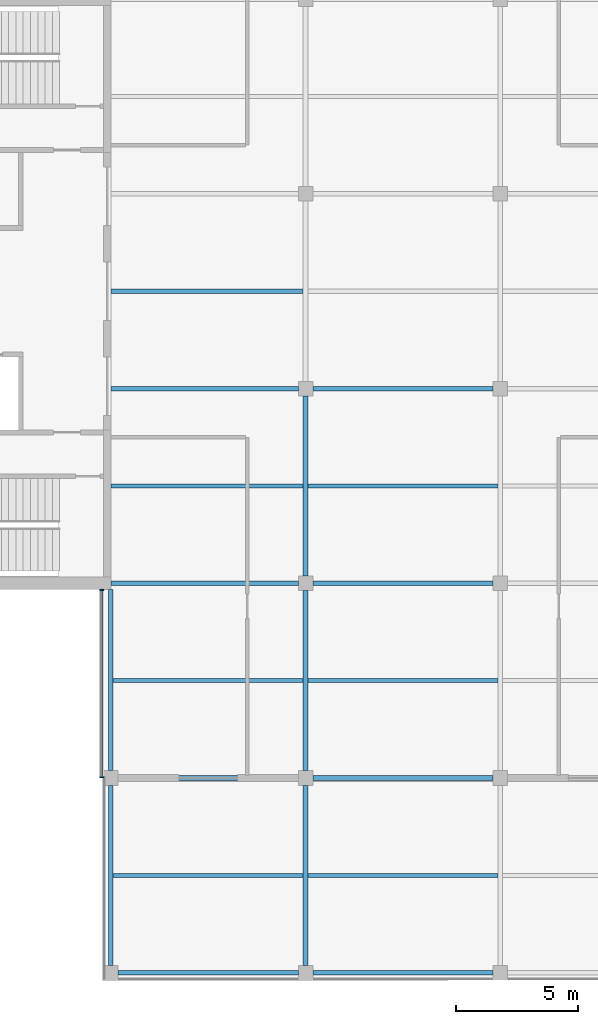
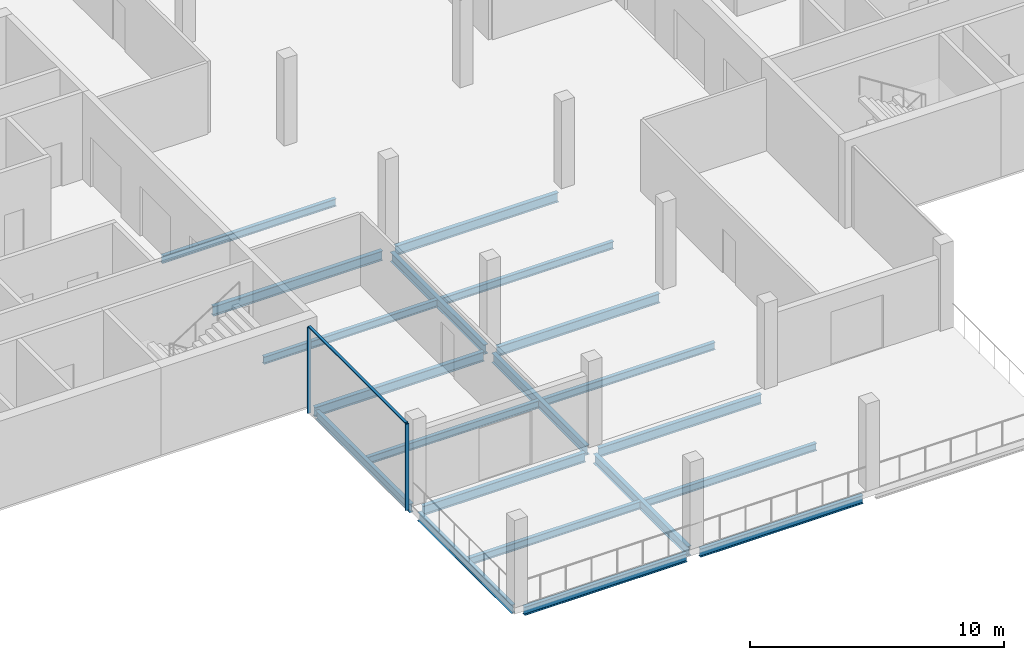
# One storey, part 2 of 12: 20 beams, 3 members, 1 element without a shape of its own.
"""IFC4 building model written with IfcOpenShell, lengths in metres."""

from ifc_helpers import new_model, si_unit, direction, frame, origin, origin_2d, place, context, subcontext, project, spatial, rectangle, i_section, extrude, material, material_profile, profile_set, type_object, element, aggregate, save


model = new_model("IFC4")

# Units and contexts
model_context = context("Model", 3, precision=1e-05, world=origin(), true_north=direction((0.0, 1.0)))
body_context = subcontext(model_context, "Body", "Model", "MODEL_VIEW")
ifc_project = project(units=[si_unit("LENGTHUNIT", "METRE"), si_unit("AREAUNIT", "SQUARE_METRE"), si_unit("VOLUMEUNIT", "CUBIC_METRE"), si_unit("PLANEANGLEUNIT", "RADIAN"), si_unit("MASSUNIT", "GRAM", prefix="KILO")], contexts=[model_context])

# Site, building, storey
site_placement = place(None, origin())
site = spatial("IfcSite", under=ifc_project, at=site_placement, CompositionType="ELEMENT")
building_placement = place(site_placement, origin())
building = spatial("IfcBuilding", under=site, at=building_placement, Name="Crosswind Convention Tower", CompositionType="ELEMENT")
storey_placement = place(building_placement, frame((0.0, 0.0, 328.10009765625)))
storey = spatial("IfcBuildingStorey", under=building, at=storey_placement, Name="L71", CompositionType="ELEMENT", Elevation=328.10009765625)

# Beams
ifc_material_1 = material(Name="Steel S355", Category="steel")
ifc_material_profile_1 = material_profile(ifc_material_1, i_section(OverallWidth=0.177734375, OverallDepth=0.406494140625, WebThickness=0.0078125, FlangeThickness=0.0126953125, FilletRadius=0.01025390625, at=origin_2d()), Name="UB 406x178x60")
ifc_profile_set_1 = profile_set([ifc_material_profile_1], Name="Steel S355")
beam_type_1 = type_object("IfcBeamType", Name="Edge beam UB 406x178x60", PredefinedType="SPANDREL", material=ifc_profile_set_1)
beam_1_placement = place(storey_placement, frame((113.0, 72.300048828125, -0.50341796875), z_axis=(0.0, 1.0, 0.0), x_axis=(-1.0, 0.0, 0.0)))
element("IfcBeam", 1, at=beam_1_placement, inside=storey, type_object=beam_type_1, Name="B15 L71 edge beam 1", PredefinedType="SPANDREL", context=body_context, shape_type="SweptSolid", body=[
    extrude(i_section(OverallWidth=0.177734375, OverallDepth=0.406494140625, WebThickness=0.0078125, FlangeThickness=0.0126953125, FilletRadius=0.01025390625, at=origin_2d()), origin(), (0.0, 0.0, 1.0), 7.39990234375),
])
beam_2_placement = place(storey_placement, frame((113.0, 80.300048828125, -0.50341796875), z_axis=(0.0, 1.0, 0.0), x_axis=(-1.0, 0.0, 0.0)))
element("IfcBeam", 2, at=beam_2_placement, inside=storey, type_object=beam_type_1, Name="B15 L71 edge beam 2", PredefinedType="SPANDREL", context=body_context, shape_type="SweptSolid", body=[
    extrude(i_section(OverallWidth=0.177734375, OverallDepth=0.406494140625, WebThickness=0.0078125, FlangeThickness=0.0126953125, FilletRadius=0.01025390625, at=origin_2d()), origin(), (0.0, 0.0, 1.0), 7.449951171875),
])
for number, where, z_axis, x_axis, name in (
    (3, (113.300048828125, 72.0, -0.50341796875), (1.0, 0.0, 0.0), (0.0, 1.0, 0.0), "B15 L71 edge beam 5"),
    (4, (121.300048828125, 72.0, -0.50341796875), (1.0, 0.0, 0.0), (0.0, 1.0, 0.0), "B15 L71 edge beam 7"),
):
    element("IfcBeam", number, at=place(storey_placement, frame(where, z_axis=z_axis, x_axis=x_axis)), inside=storey, type_object=beam_type_1, Name=name, PredefinedType="SPANDREL", context=body_context, shape_type="SweptSolid", body=[
        extrude(i_section(OverallWidth=0.177734375, OverallDepth=0.406494140625, WebThickness=0.0078125, FlangeThickness=0.0126953125, FilletRadius=0.01025390625, at=origin_2d()), origin(), (0.0, 0.0, 1.0), 7.39990234375),
    ])
ifc_material_profile_2 = material_profile(ifc_material_1, i_section(OverallWidth=0.18994140625, OverallDepth=0.45361328125, WebThickness=0.008544921875, FlangeThickness=0.0126953125, FilletRadius=0.01025390625, at=origin_2d()), Name="UB 457x191x67")
ifc_profile_set_2 = profile_set([ifc_material_profile_2], Name="Steel S355")
beam_type_2 = type_object("IfcBeamType", Name="Girder UB 457x191x67", PredefinedType="BEAM", material=ifc_profile_set_2)
for number, where, z_axis, x_axis, name in (
    (5, (113.300048828125, 80.0, -0.52685546875), (1.0, 0.0, 0.0), (0.0, 1.0, 0.0), "B1 L71 girder 1"),
    (6, (121.0, 72.300048828125, -0.52685546875), (0.0, 1.0, 0.0), (-1.0, 0.0, 0.0), "B1 L71 girder 3"),
    (7, (121.0, 80.300048828125, -0.52685546875), (0.0, 1.0, 0.0), (-1.0, 0.0, 0.0), "B1 L71 girder 4"),
    (8, (121.0, 88.300048828125, -0.52685546875), (0.0, 1.0, 0.0), (-1.0, 0.0, 0.0), "B1 L71 girder 5"),
    (9, (121.300048828125, 80.0, -0.52685546875), (1.0, 0.0, 0.0), (0.0, 1.0, 0.0), "B1 L71 girder 10"),
    (10, (121.300048828125, 88.0, -0.52685546875), (1.0, 0.0, 0.0), (0.0, 1.0, 0.0), "B1 L71 girder 11"),
    (11, (121.300048828125, 96.0, -0.52685546875), (1.0, 0.0, 0.0), (0.0, 1.0, 0.0), "B1 L71 girder 12"),
):
    element("IfcBeam", number, at=place(storey_placement, frame(where, z_axis=z_axis, x_axis=x_axis)), inside=storey, type_object=beam_type_2, Name=name, PredefinedType="BEAM", context=body_context, shape_type="SweptSolid", body=[
        extrude(i_section(OverallWidth=0.18994140625, OverallDepth=0.45361328125, WebThickness=0.008544921875, FlangeThickness=0.0126953125, FilletRadius=0.01025390625, at=origin_2d()), origin(), (0.0, 0.0, 1.0), 7.39990234375),
    ])
ifc_material_profile_3 = material_profile(ifc_material_1, i_section(OverallWidth=0.1904296875, OverallDepth=0.457275390625, WebThickness=0.009033203125, FlangeThickness=0.014404296875, FilletRadius=0.01025390625, at=origin_2d()), Name="UB 457x191x75")
ifc_profile_set_3 = profile_set([ifc_material_profile_3], Name="Steel S355")
beam_type_3 = type_object("IfcBeamType", Name="Girder at core wall UB 457x191x75", PredefinedType="BEAM", material=ifc_profile_set_3)
for number, where, z_axis, x_axis, name in (
    (12, (113.0, 88.0, -0.52880859375), (1.0, 0.0, 0.0), (0.0, 1.0, 0.0), "B22 L71 girder at core wall 1"),
    (13, (113.0, 96.0, -0.52880859375), (1.0, 0.0, 0.0), (0.0, 1.0, 0.0), "B22 L71 girder at core wall 2"),
):
    element("IfcBeam", number, at=place(storey_placement, frame(where, z_axis=z_axis, x_axis=x_axis)), inside=storey, type_object=beam_type_3, Name=name, PredefinedType="BEAM", context=body_context, shape_type="SweptSolid", body=[
        extrude(i_section(OverallWidth=0.1904296875, OverallDepth=0.457275390625, WebThickness=0.009033203125, FlangeThickness=0.014404296875, FilletRadius=0.01025390625, at=origin_2d()), origin(), (0.0, 0.0, 1.0), 7.699951171875),
    ])

# Curtain wall, members
ifc_material_2 = material(Name="Aluminium unitised curtain wall", Category="aluminium")
curtain_wall_type = type_object("IfcCurtainWallType", Name="CORE END SLOT WALL 160", PredefinedType="USERDEFINED", material=ifc_material_2)
curtain_wall_placement = place(storey_placement, origin())
curtain_wall = element("IfcCurtainWall", 14, at=curtain_wall_placement, inside=storey, type_object=curtain_wall_type, Name="CW6 L71 S-W.1-1 slot", ObjectType="UNITISED", PredefinedType="USERDEFINED")
ifc_material_3 = material(Name="Aluminium mullion", Category="aluminium")
ifc_material_profile_4 = material_profile(ifc_material_3, rectangle(XDim=0.159912109375, YDim=0.050048828125, at=origin_2d()), Name="AL 160X50")
ifc_profile_set_4 = profile_set([ifc_material_profile_4], Name="Aluminium mullion")
member_type_1 = type_object("IfcMemberType", Name="MULLION 50X160", PredefinedType="MULLION", material=ifc_profile_set_4)
member_1_placement = place(storey_placement, frame((112.6201171875, 87.72509765625, -0.300048828125), z_axis=(0.0, 0.0, 1.0), x_axis=(-1.0, 0.0, 0.0)))
member_1 = element("IfcMember", 15, at=member_1_placement, type_object=member_type_1, Name="CW6 mullion 1", PredefinedType="MULLION", context=body_context, shape_type="SweptSolid", body=[
    extrude(rectangle(XDim=0.159912109375, YDim=0.050048828125, at=origin_2d()), origin(), (0.0, 0.0, 1.0), 4.14990234375),
])
member_2_placement = place(storey_placement, frame((112.6201171875, 80.02490234375, -0.300048828125), z_axis=(0.0, 0.0, 1.0), x_axis=(-1.0, 0.0, 0.0)))
member_2 = element("IfcMember", 16, at=member_2_placement, type_object=member_type_1, Name="CW6 mullion 2", PredefinedType="MULLION", context=body_context, shape_type="SweptSolid", body=[
    extrude(rectangle(XDim=0.159912109375, YDim=0.050048828125, at=origin_2d()), origin(), (0.0, 0.0, 1.0), 4.14990234375),
])

# Beams
ifc_material_profile_5 = material_profile(ifc_material_1, i_section(OverallWidth=0.17138671875, OverallDepth=0.355712890625, WebThickness=0.00732421875, FlangeThickness=0.011474609375, FilletRadius=0.01025390625, at=origin_2d()), Name="UB 356x171x51")
ifc_profile_set_5 = profile_set([ifc_material_profile_5], Name="Steel S355")
beam_type_4 = type_object("IfcBeamType", Name="Secondary beam UB 356x171x51", PredefinedType="JOIST", material=ifc_profile_set_5)
for number, where, z_axis, x_axis, name in (
    (17, (113.0, 92.0, -0.477783203125), (1.0, 0.0, 0.0), (0.0, 1.0, 0.0), "B8 L71 secondary beam 1"),
    (18, (113.0, 100.0, -0.477783203125), (1.0, 0.0, 0.0), (0.0, 1.0, 0.0), "B8 L71 secondary beam 2"),
):
    element("IfcBeam", number, at=place(storey_placement, frame(where, z_axis=z_axis, x_axis=x_axis)), inside=storey, type_object=beam_type_4, Name=name, PredefinedType="JOIST", context=body_context, shape_type="SweptSolid", body=[
        extrude(i_section(OverallWidth=0.17138671875, OverallDepth=0.355712890625, WebThickness=0.00732421875, FlangeThickness=0.011474609375, FilletRadius=0.01025390625, at=origin_2d()), origin(), (0.0, 0.0, 1.0), 7.905029296875),
    ])
for number, where, z_axis, x_axis, name in (
    (19, (113.0888671875, 76.0, -0.477783203125), (1.0, 0.0, 0.0), (0.0, 1.0, 0.0), "B8 L71 secondary beam 4"),
    (20, (113.0888671875, 84.0, -0.477783203125), (1.0, 0.0, 0.0), (0.0, 1.0, 0.0), "B8 L71 secondary beam 5"),
):
    element("IfcBeam", number, at=place(storey_placement, frame(where, z_axis=z_axis, x_axis=x_axis)), inside=storey, type_object=beam_type_4, Name=name, PredefinedType="JOIST", context=body_context, shape_type="SweptSolid", body=[
        extrude(i_section(OverallWidth=0.17138671875, OverallDepth=0.355712890625, WebThickness=0.00732421875, FlangeThickness=0.011474609375, FilletRadius=0.01025390625, at=origin_2d()), origin(), (0.0, 0.0, 1.0), 7.816162109375),
    ])
for number, where, z_axis, x_axis, name in (
    (21, (121.094970703125, 76.0, -0.477783203125), (1.0, 0.0, 0.0), (0.0, 1.0, 0.0), "B8 L71 secondary beam 8"),
    (22, (121.094970703125, 84.0, -0.477783203125), (1.0, 0.0, 0.0), (0.0, 1.0, 0.0), "B8 L71 secondary beam 9"),
    (23, (121.094970703125, 92.0, -0.477783203125), (1.0, 0.0, 0.0), (0.0, 1.0, 0.0), "B8 L71 secondary beam 10"),
):
    element("IfcBeam", number, at=place(storey_placement, frame(where, z_axis=z_axis, x_axis=x_axis)), inside=storey, type_object=beam_type_4, Name=name, PredefinedType="JOIST", context=body_context, shape_type="SweptSolid", body=[
        extrude(i_section(OverallWidth=0.17138671875, OverallDepth=0.355712890625, WebThickness=0.00732421875, FlangeThickness=0.011474609375, FilletRadius=0.01025390625, at=origin_2d()), origin(), (0.0, 0.0, 1.0), 7.81005859375),
    ])

# Member
ifc_material_4 = material(Name="Aluminium transom", Category="aluminium")
ifc_material_profile_6 = material_profile(ifc_material_4, rectangle(XDim=0.1201171875, YDim=0.050048828125, at=origin_2d()), Name="AL 120X50")
ifc_profile_set_6 = profile_set([ifc_material_profile_6], Name="Aluminium transom")
member_type_2 = type_object("IfcMemberType", Name="TRANSOM 50X120", PredefinedType="USERDEFINED", material=ifc_profile_set_6)
member_3_placement = place(storey_placement, frame((112.6201171875, 87.699951171875, 3.875), z_axis=(0.0, -1.0, 0.0), x_axis=(1.0, 0.0, 0.0)))
member_3 = element("IfcMember", 24, at=member_3_placement, type_object=member_type_2, Name="CW6 transom", ObjectType="TRANSOM", PredefinedType="USERDEFINED", context=body_context, shape_type="SweptSolid", body=[
    extrude(rectangle(XDim=0.1201171875, YDim=0.050048828125, at=origin_2d()), origin(), (0.0, 0.0, 1.0), 7.64990234375),
])

aggregate(curtain_wall, [member_1, member_2, member_3])

save(model, "model.ifc")
